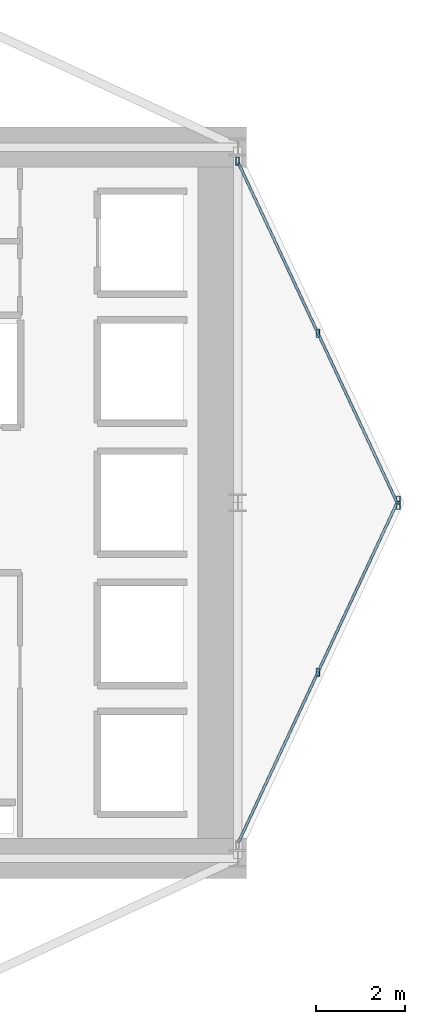
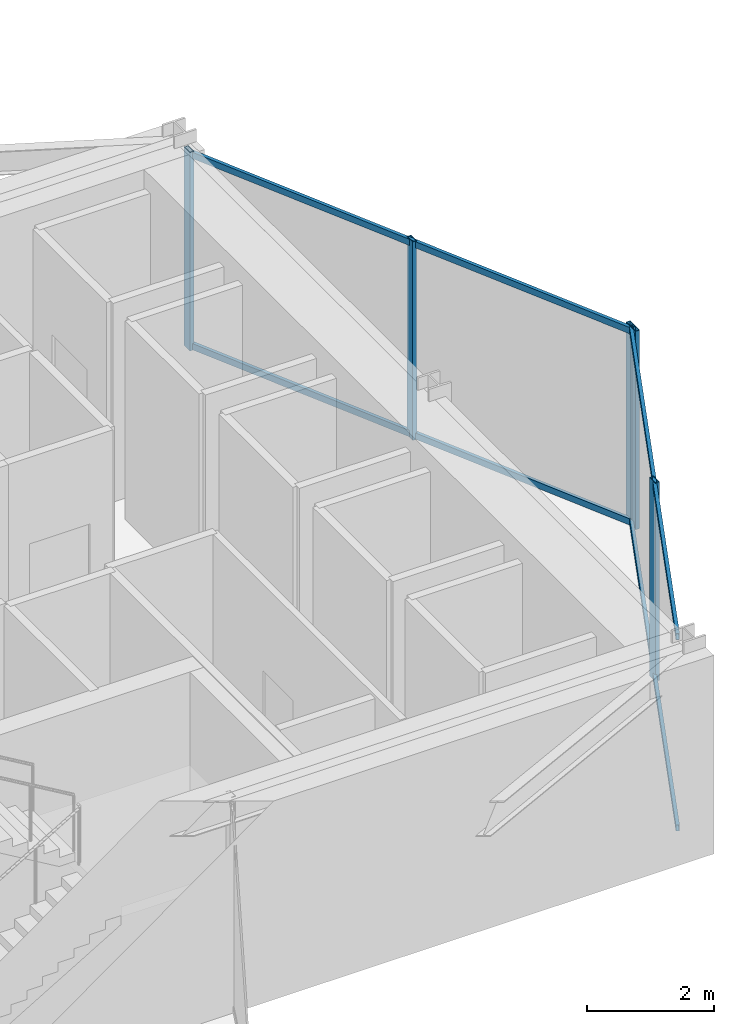
# One storey, part 17 of 27: 9 members, 2 elements without a shape of their own.
"""IFC4 building model written with IfcOpenShell, lengths in metres."""

from ifc_helpers import new_model, si_unit, direction, frame, origin, origin_2d, place, context, subcontext, project, spatial, hollow_rectangle, extrude, material, layer, layer_set, material_profile, profile_set, type_object, element, aggregate, save


model = new_model("IFC4")

# Units and contexts
model_context = context("Model", 3, precision=1e-05, world=origin(), true_north=direction((0.0, 1.0)))
body_context = subcontext(model_context, "Body", "Model", "MODEL_VIEW")
ifc_project = project(units=[si_unit("LENGTHUNIT", "METRE"), si_unit("AREAUNIT", "SQUARE_METRE"), si_unit("VOLUMEUNIT", "CUBIC_METRE"), si_unit("PLANEANGLEUNIT", "RADIAN"), si_unit("MASSUNIT", "GRAM", prefix="KILO")], contexts=[model_context])

# Site, building, storey
site_placement = place(None, origin())
site = spatial("IfcSite", under=ifc_project, at=site_placement, CompositionType="ELEMENT")
building_placement = place(site_placement, origin())
building = spatial("IfcBuilding", under=site, at=building_placement, Name="Veymaron Broadcast Tower", CompositionType="ELEMENT")
storey_placement = place(building_placement, frame((0.0, 0.0, 86.39990234375)))
storey = spatial("IfcBuildingStorey", under=building, at=storey_placement, Name="L19", CompositionType="ELEMENT", Elevation=86.39990234375)

# Curtain wall, members
ifc_material_1 = material(Name="Anodised aluminium AA 6063-T6 and laminated low-E dark glass", Category="aluminium")
ifc_layer = layer(ifc_material_1, 0.179931640625)
ifc_layer_set = layer_set([ifc_layer], Name="Anodised aluminium AA 6063-T6 and laminated low-E dark glass")
curtain_wall_type = type_object("IfcCurtainWallType", Name="CW-SYS-02", PredefinedType="NOTDEFINED", material=ifc_layer_set)
curtain_wall_1_placement = place(storey_placement, origin())
curtain_wall_1 = element("IfcCurtainWall", 1, at=curtain_wall_1_placement, inside=storey, type_object=curtain_wall_type, Name="L19 dark-glass curtain wall CW-L19-E3-1", PredefinedType="NOTDEFINED")
ifc_material_2 = material(Name="Anodised aluminium AA 6063-T6", Category="aluminium")
ifc_material_profile_1 = material_profile(ifc_material_2, hollow_rectangle(XDim=0.074951171875, YDim=0.179931640625, WallThickness=0.0048828125, at=origin_2d()), Name="AL180X75X5")
ifc_profile_set_1 = profile_set([ifc_material_profile_1], Name="Anodised aluminium AA 6063-T6")
member_type_1 = type_object("IfcMemberType", Name="CW-MUL-02", PredefinedType="MULLION", material=ifc_profile_set_1)
member_1_placement = place(storey_placement, frame((56.402099609375, 20.187744140625, 0.0), z_axis=(0.0, 0.0, 1.0), x_axis=(1.0, 0.0, 0.0)))
member_1 = element("IfcMember", 2, at=member_1_placement, type_object=member_type_1, Name="CW-L19-E3-1 mullion 1", PredefinedType="MULLION", context=body_context, shape_type="SweptSolid", body=[
    extrude(hollow_rectangle(XDim=0.074951171875, YDim=0.179931640625, WallThickness=0.0048828125, at=origin_2d()), origin(), (0.0, 0.0, 1.0), 3.81005859375),
])
member_2_placement = place(storey_placement, frame((58.211181640625, 24.059326171875, 0.0), z_axis=(0.0, 0.0, 1.0), x_axis=(1.0, 0.0, 0.0)))
member_2 = element("IfcMember", 3, at=member_2_placement, type_object=member_type_1, Name="CW-L19-E3-1 mullion 2", PredefinedType="MULLION", context=body_context, shape_type="SweptSolid", body=[
    extrude(hollow_rectangle(XDim=0.074951171875, YDim=0.179931640625, WallThickness=0.0048828125, at=origin_2d()), origin(), (0.0, 0.0, 1.0), 3.81005859375),
])

curtain_wall_2_placement = place(storey_placement, origin())
curtain_wall_2 = element("IfcCurtainWall", 4, at=curtain_wall_2_placement, inside=storey, type_object=curtain_wall_type, Name="L19 dark-glass curtain wall CW-L19-E4-1", PredefinedType="NOTDEFINED")
member_3_placement = place(storey_placement, frame((58.211181640625, 23.940673828125, 0.0), z_axis=(0.0, 0.0, 1.0), x_axis=(1.0, 0.0, 0.0)))
member_3 = element("IfcMember", 5, at=member_3_placement, type_object=member_type_1, Name="CW-L19-E4-1 mullion 0", PredefinedType="MULLION", context=body_context, shape_type="SweptSolid", body=[
    extrude(hollow_rectangle(XDim=0.074951171875, YDim=0.179931640625, WallThickness=0.0048828125, at=origin_2d()), origin(), (0.0, 0.0, 1.0), 3.81005859375),
])
member_4_placement = place(storey_placement, frame((56.402099609375, 27.812255859375, 0.0), z_axis=(0.0, 0.0, 1.0), x_axis=(1.0, 0.0, 0.0)))
member_4 = element("IfcMember", 6, at=member_4_placement, type_object=member_type_1, Name="CW-L19-E4-1 mullion 1", PredefinedType="MULLION", context=body_context, shape_type="SweptSolid", body=[
    extrude(hollow_rectangle(XDim=0.074951171875, YDim=0.179931640625, WallThickness=0.0048828125, at=origin_2d()), origin(), (0.0, 0.0, 1.0), 3.81005859375),
])
member_5_placement = place(storey_placement, frame((54.59326171875, 31.683837890625, 0.0), z_axis=(0.0, 0.0, 1.0), x_axis=(1.0, 0.0, 0.0)))
member_5 = element("IfcMember", 7, at=member_5_placement, type_object=member_type_1, Name="CW-L19-E4-1 mullion 2", PredefinedType="MULLION", context=body_context, shape_type="SweptSolid", body=[
    extrude(hollow_rectangle(XDim=0.074951171875, YDim=0.179931640625, WallThickness=0.0048828125, at=origin_2d()), origin(), (0.0, 0.0, 1.0), 3.81005859375),
])

# Member
ifc_material_profile_2 = material_profile(ifc_material_2, hollow_rectangle(XDim=0.06005859375, YDim=0.1201171875, WallThickness=0.00390625, at=origin_2d()), Name="AL120X60X4")
ifc_profile_set_2 = profile_set([ifc_material_profile_2], Name="Anodised aluminium AA 6063-T6")
member_type_2 = type_object("IfcMemberType", Name="CW-TRN-02", PredefinedType="USERDEFINED", material=ifc_profile_set_2)
member_6_placement = place(storey_placement, frame((54.614501953125, 16.361572265625, 0.070068359375), z_axis=(0.423307911834, 0.905985878355, 0.0), x_axis=(-0.905985878355, 0.423307911834, 0.0)))
member_6 = element("IfcMember", 8, at=member_6_placement, type_object=member_type_2, Name="CW-L19-E3-1 transom B", ObjectType="TRANSOM", PredefinedType="USERDEFINED", context=body_context, shape_type="SweptSolid", body=[
    extrude(hollow_rectangle(XDim=0.06005859375, YDim=0.1201171875, WallThickness=0.00390625, at=origin_2d()), origin(), (0.0, 0.0, 1.0), 8.446533203125),
])

member_7_placement = place(storey_placement, frame((54.614501953125, 16.361572265625, 3.739990234375), z_axis=(0.423307911834, 0.905985878355, 0.0), x_axis=(-0.905985878355, 0.423307911834, 0.0)))
member_7 = element("IfcMember", 9, at=member_7_placement, type_object=member_type_2, Name="CW-L19-E3-1 transom T", ObjectType="TRANSOM", PredefinedType="USERDEFINED", context=body_context, shape_type="SweptSolid", body=[
    extrude(hollow_rectangle(XDim=0.06005859375, YDim=0.1201171875, WallThickness=0.00390625, at=origin_2d()), origin(), (0.0, 0.0, 1.0), 8.446533203125),
])

aggregate(curtain_wall_1, [member_1, member_2, member_6, member_7])

member_8_placement = place(storey_placement, frame((58.18994140625, 23.986083984375, 0.070068359375), z_axis=(-0.423307911834, 0.905985878355, 0.0), x_axis=(-0.905985878355, -0.423307911834, 0.0)))
member_8 = element("IfcMember", 10, at=member_8_placement, type_object=member_type_2, Name="CW-L19-E4-1 transom B", ObjectType="TRANSOM", PredefinedType="USERDEFINED", context=body_context, shape_type="SweptSolid", body=[
    extrude(hollow_rectangle(XDim=0.06005859375, YDim=0.1201171875, WallThickness=0.00390625, at=origin_2d()), origin(), (0.0, 0.0, 1.0), 8.446533203125),
])

member_9_placement = place(storey_placement, frame((58.18994140625, 23.986083984375, 3.739990234375), z_axis=(-0.423307911834, 0.905985878355, 0.0), x_axis=(-0.905985878355, -0.423307911834, 0.0)))
member_9 = element("IfcMember", 11, at=member_9_placement, type_object=member_type_2, Name="CW-L19-E4-1 transom T", ObjectType="TRANSOM", PredefinedType="USERDEFINED", context=body_context, shape_type="SweptSolid", body=[
    extrude(hollow_rectangle(XDim=0.06005859375, YDim=0.1201171875, WallThickness=0.00390625, at=origin_2d()), origin(), (0.0, 0.0, 1.0), 8.446533203125),
])

aggregate(curtain_wall_2, [member_3, member_4, member_5, member_8, member_9])

save(model, "model.ifc")
